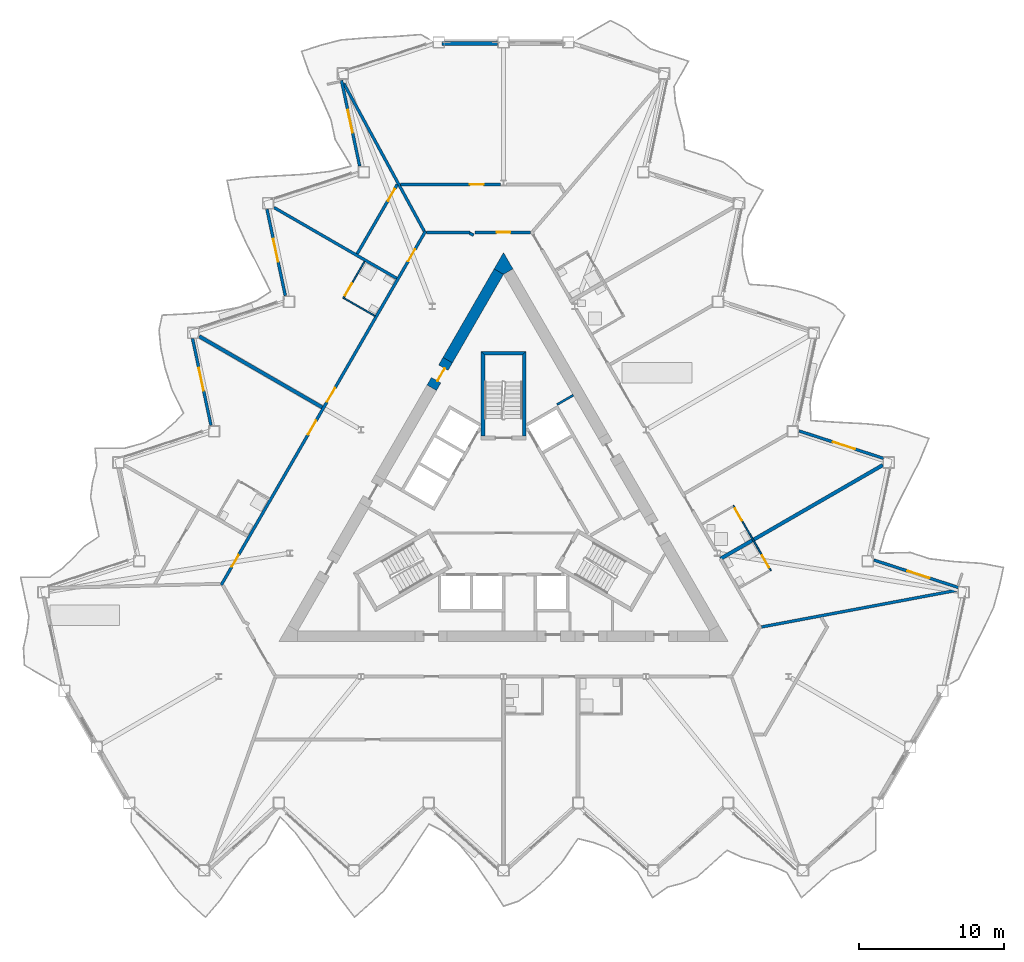
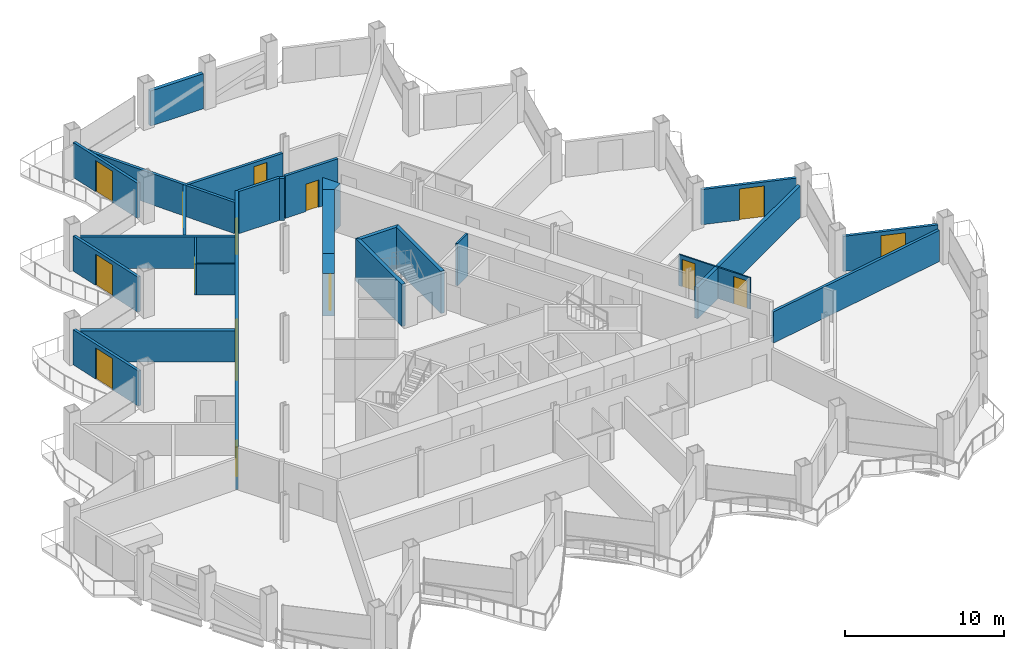
# One storey, part 13 of 22: 27 walls, 16 doors, 16 openings.
"""IFC4 building model written with IfcOpenShell, lengths in metres."""

from ifc_helpers import new_model, si_unit, direction, frame, frame_2d, origin, place, context, subcontext, project, spatial, polyline, rectangle, outline, extrude, material, layer, layer_set, type_object, element, fill, save


model = new_model("IFC4")

# Units and contexts
model_context = context("Model", 3, precision=1e-05, world=origin(), true_north=direction((0.0, 1.0)))
body_context = subcontext(model_context, "Body", "Model", "MODEL_VIEW")
ifc_project = project(units=[si_unit("LENGTHUNIT", "METRE"), si_unit("AREAUNIT", "SQUARE_METRE"), si_unit("VOLUMEUNIT", "CUBIC_METRE"), si_unit("PLANEANGLEUNIT", "RADIAN"), si_unit("MASSUNIT", "GRAM", prefix="KILO")], contexts=[model_context])

# Site, building, storey
site_placement = place(None, origin())
site = spatial("IfcSite", under=ifc_project, at=site_placement, CompositionType="ELEMENT")
building_placement = place(site_placement, origin())
building = spatial("IfcBuilding", under=site, at=building_placement, Name="Cormorant Prow Tower", CompositionType="ELEMENT")
storey_placement = place(building_placement, frame((0.0, 0.0, 194.39990234375)))
storey = spatial("IfcBuildingStorey", under=building, at=storey_placement, Name="L42", CompositionType="ELEMENT", Elevation=194.39990234375)

# Walls
ifc_material_1 = material(Name="Gypsum board partition")
ifc_layer_1 = layer(ifc_material_1, 0.14990234375)
ifc_layer_set_1 = layer_set([ifc_layer_1], Name="Gypsum board partition")
wall_type_1 = type_object("IfcWallType", Name="Core partition 150", PredefinedType="PARTITIONING", material=ifc_layer_set_1)
wall_1_placement = place(storey_placement, frame((3.693359375, 7.4150390625, 0.0), z_axis=(0.0, 0.0, 1.0), x_axis=(0.866003189247, 0.500038474733, 0.0)))
element("IfcWall", 1, at=wall_1_placement, inside=storey, type_object=wall_type_1, Name="Service room partition", PredefinedType="PARTITIONING", context=body_context, shape_type="SweptSolid", body=[
    extrude(rectangle(XDim=1.29296875, YDim=0.14990234375, at=frame_2d((0.646484375, 0.0))), origin(), (0.0, 0.0, 1.0), 3.25),
])
ifc_material_2 = material(Name="Concrete 8000 psi", Category="concrete")
ifc_layer_2 = layer(ifc_material_2, 0.75)
ifc_layer_set_2 = layer_set([ifc_layer_2], Name="Concrete 8000 psi")
wall_type_2 = type_object("IfcWallType", Name="Core shear wall 750", PredefinedType="SHEAR", material=ifc_layer_set_2)
wall_2_placement = place(storey_placement, frame((-0.32470703125, 16.58544921875, 0.0), z_axis=(0.0, 0.0, 1.0), x_axis=(-0.500012199891, -0.86601836006, 0.0)))
element("IfcWall", 2, at=wall_2_placement, inside=storey, type_object=wall_type_2, Name="Core wall", PredefinedType="SHEAR", context=body_context, shape_type="SweptSolid", body=[
    extrude(rectangle(XDim=7.050537109375, YDim=0.75, at=frame_2d((3.525390625, 0.0))), origin(), (0.0, 0.0, 1.0), 3.25),
])
wall_3_placement = place(storey_placement, origin())
element("IfcWall", 3, at=wall_3_placement, inside=storey, type_object=wall_type_2, Name="Core wall corner", PredefinedType="SHEAR", context=body_context, shape_type="SweptSolid", body=[
    extrude(outline(polyline([(-0.6494140625, 16.77294921875), (0.0, 17.89794921875), (0.6494140625, 16.77294921875), (0.0, 16.39794921875), (-0.6494140625, 16.77294921875)])), origin(), (0.0, 0.0, 1.0), 3.25),
])

# Wall, opening, door
wall_4_placement = place(storey_placement, frame((-3.85009765625, 10.4794921875, 0.0), z_axis=(0.0, 0.0, 1.0), x_axis=(-0.499946605688, -0.86605622881, 0.0)))
wall_4 = element("IfcWall", 4, at=wall_4_placement, inside=storey, type_object=wall_type_2, Name="Core wall door panel", PredefinedType="SHEAR", context=body_context, shape_type="SweptSolid", body=[
    extrude(rectangle(XDim=2.199951171875, YDim=0.75, at=frame_2d((1.10009765625, 0.0))), origin(), (0.0, 0.0, 1.0), 3.25),
])
opening_1_placement = place(wall_4_placement, frame((0.60009765625, 0.0, 0.0)))
opening_1 = element("IfcOpeningElement", 5, at=opening_1_placement, cuts=wall_4, Name="Opening L42-C19", PredefinedType="OPENING", context=body_context, shape_type="SweptSolid", body=[
    extrude(rectangle(XDim=1.0, YDim=2.10009765625, at=frame_2d((0.5, 1.050048828125))), frame((0.0, 0.385009765625, 0.0), z_axis=(0.0, -1.0, 0.0), x_axis=(1.0, 0.0, 0.0)), (0.0, 0.0, 1.0), 0.77001953125),
])
ifc_material_3 = material(Name="Painted steel", Category="steel")
door_type_1 = type_object("IfcDoorType", Name="Service door 1000x2100", OperationType="NOTDEFINED", PredefinedType="DOOR", material=ifc_material_3)
door_1_placement = place(opening_1_placement, origin())
door_1 = element("IfcDoor", 6, at=door_1_placement, inside=storey, type_object=door_type_1, Name="Core door, Electrical room", OperationType="SINGLE_SWING_RIGHT", OverallHeight=2.10009765625, OverallWidth=1.0, PredefinedType="DOOR", context=body_context, shape_type="SweptSolid", body=[
    extrude(rectangle(XDim=1.0, YDim=2.10009765625, at=frame_2d((0.5, 1.050048828125))), frame((0.0, 0.1298828125, 0.0), z_axis=(0.0, -1.0, 0.0), x_axis=(1.0, 0.0, 0.0)), (0.0, 0.0, 1.0), 0.050048828125),
])
fill(opening_1, door_1)

# Wall, openings, doors
ifc_material_4 = material(Name="Gypsum board corridor wall")
ifc_layer_3 = layer(ifc_material_4, 0.199951171875)
ifc_layer_set_3 = layer_set([ifc_layer_3], Name="Gypsum board corridor wall")
wall_type_3 = type_object("IfcWallType", Name="Corridor wall 200", PredefinedType="PARTITIONING", material=ifc_layer_set_3)
wall_5_placement = place(storey_placement, frame((-19.47607421875, -5.035400390625, 0.0), z_axis=(0.0, 0.0, 1.0), x_axis=(0.500000757641, 0.86602496636, 0.0)))
wall_5 = element("IfcWall", 7, at=wall_5_placement, inside=storey, type_object=wall_type_3, Name="Corridor wall", PredefinedType="PARTITIONING", context=body_context, shape_type="SweptSolid", body=[
    extrude(rectangle(XDim=28.19775390625, YDim=0.199951171875, at=frame_2d((14.098876953125, 0.0))), origin(), (0.0, 0.0, 1.0), 3.25),
])
opening_2_placement = place(wall_5_placement, frame((25.795654296875, 0.0, 0.0)))
opening_2 = element("IfcOpeningElement", 8, at=opening_2_placement, cuts=wall_5, Name="Opening L42-F20", PredefinedType="OPENING", context=body_context, shape_type="SweptSolid", body=[
    extrude(rectangle(XDim=0.949951171875, YDim=2.10009765625, at=frame_2d((0.47509765625, 1.050048828125))), frame((0.0, 0.10986328125, 0.0), z_axis=(0.0, -1.0, 0.0), x_axis=(1.0, 0.0, 0.0)), (0.0, 0.0, 1.0), 0.219970703125),
])
opening_3_placement = place(wall_5_placement, frame((14.602783203125, 0.0, 0.0)))
opening_3 = element("IfcOpeningElement", 9, at=opening_3_placement, cuts=wall_5, Name="Opening L42-F22", PredefinedType="OPENING", context=body_context, shape_type="SweptSolid", body=[
    extrude(rectangle(XDim=1.10009765625, YDim=2.10009765625, at=frame_2d((0.550048828125, 1.050048828125))), frame((0.0, 0.10986328125, 0.0), z_axis=(0.0, -1.0, 0.0), x_axis=(1.0, 0.0, 0.0)), (0.0, 0.0, 1.0), 0.219970703125),
])
opening_4_placement = place(wall_5_placement, frame((11.9931640625, 0.0, 0.0)))
opening_4 = element("IfcOpeningElement", 10, at=opening_4_placement, cuts=wall_5, Name="Opening L42-F24", PredefinedType="OPENING", context=body_context, shape_type="SweptSolid", body=[
    extrude(rectangle(XDim=1.10009765625, YDim=2.10009765625, at=frame_2d((0.550048828125, 1.050048828125))), frame((0.0, 0.10986328125, 0.0), z_axis=(0.0, -1.0, 0.0), x_axis=(1.0, 0.0, 0.0)), (0.0, 0.0, 1.0), 0.219970703125),
])
opening_5_placement = place(wall_5_placement, frame((1.4521484375, 0.0, 0.0)))
opening_5 = element("IfcOpeningElement", 11, at=opening_5_placement, cuts=wall_5, Name="Opening L42-F26", PredefinedType="OPENING", context=body_context, shape_type="SweptSolid", body=[
    extrude(rectangle(XDim=0.949951171875, YDim=2.10009765625, at=frame_2d((0.47509765625, 1.050048828125))), frame((0.0, 0.10986328125, 0.0), z_axis=(0.0, -1.0, 0.0), x_axis=(1.0, 0.0, 0.0)), (0.0, 0.0, 1.0), 0.219970703125),
])
ifc_material_5 = material(Name="Timber door leaf", Category="wood")
door_type_2 = type_object("IfcDoorType", Name="Store door 950x2100", OperationType="NOTDEFINED", PredefinedType="DOOR", material=ifc_material_5)
door_2_placement = place(opening_2_placement, origin())
door_2 = element("IfcDoor", 12, at=door_2_placement, inside=storey, type_object=door_type_2, Name="Ice and vending room door", OperationType="SINGLE_SWING_RIGHT", OverallHeight=2.10009765625, OverallWidth=0.949951171875, PredefinedType="DOOR", context=body_context, shape_type="SweptSolid", body=[
    extrude(rectangle(XDim=0.949951171875, YDim=2.10009765625, at=frame_2d((0.47509765625, 1.050048828125))), frame((0.0, 0.02490234375, 0.0), z_axis=(0.0, -1.0, 0.0), x_axis=(1.0, 0.0, 0.0)), (0.0, 0.0, 1.0), 0.050048828125),
])
fill(opening_2, door_2)
door_3_placement = place(opening_5_placement, origin())
door_3 = element("IfcDoor", 13, at=door_3_placement, inside=storey, type_object=door_type_2, Name="Ice and vending room door", OperationType="SINGLE_SWING_LEFT", OverallHeight=2.10009765625, OverallWidth=0.949951171875, PredefinedType="DOOR", context=body_context, shape_type="SweptSolid", body=[
    extrude(rectangle(XDim=0.949951171875, YDim=2.10009765625, at=frame_2d((0.47509765625, 1.050048828125))), frame((0.0, 0.02490234375, 0.0), z_axis=(0.0, -1.0, 0.0), x_axis=(1.0, 0.0, 0.0)), (0.0, 0.0, 1.0), 0.050048828125),
])
fill(opening_5, door_3)
ifc_material_6 = material(Name="Timber door leaf", Category="wood")
door_type_3 = type_object("IfcDoorType", Name="Suite entrance door 1100x2100", OperationType="NOTDEFINED", PredefinedType="DOOR", material=ifc_material_6)
door_4_placement = place(opening_3_placement, origin())
door_4 = element("IfcDoor", 14, at=door_4_placement, inside=storey, type_object=door_type_3, Name="Junior suite door", OperationType="SINGLE_SWING_LEFT", OverallHeight=2.10009765625, OverallWidth=1.10009765625, PredefinedType="DOOR", context=body_context, shape_type="SweptSolid", body=[
    extrude(rectangle(XDim=1.10009765625, YDim=2.10009765625, at=frame_2d((0.550048828125, 1.050048828125))), frame((0.0, 0.02490234375, 0.0), z_axis=(0.0, -1.0, 0.0), x_axis=(1.0, 0.0, 0.0)), (0.0, 0.0, 1.0), 0.050048828125),
])
fill(opening_3, door_4)
door_5_placement = place(opening_4_placement, origin())
door_5 = element("IfcDoor", 15, at=door_5_placement, inside=storey, type_object=door_type_3, Name="Junior suite door", OperationType="SINGLE_SWING_RIGHT", OverallHeight=2.10009765625, OverallWidth=1.10009765625, PredefinedType="DOOR", context=body_context, shape_type="SweptSolid", body=[
    extrude(rectangle(XDim=1.10009765625, YDim=2.10009765625, at=frame_2d((0.550048828125, 1.050048828125))), frame((0.0, 0.02490234375, 0.0), z_axis=(0.0, -1.0, 0.0), x_axis=(1.0, 0.0, 0.0)), (0.0, 0.0, 1.0), 0.050048828125),
])
fill(opening_4, door_5)

# Wall, opening, door
wall_6_placement = place(storey_placement, frame((-1.962890625, 19.2978515625, 0.0), z_axis=(0.0, 0.0, 1.0), x_axis=(1.0, 0.0, 0.0)))
wall_6 = element("IfcWall", 16, at=wall_6_placement, inside=storey, type_object=wall_type_3, Name="Corridor wall", PredefinedType="PARTITIONING", context=body_context, shape_type="SweptSolid", body=[
    extrude(rectangle(XDim=3.825927734375, YDim=0.199951171875, at=frame_2d((1.9130859375, 0.0))), origin(), (0.0, 0.0, 1.0), 3.25),
])
opening_6_placement = place(wall_6_placement, frame((1.48974609375, 0.0, 0.0)))
opening_6 = element("IfcOpeningElement", 17, at=opening_6_placement, cuts=wall_6, Name="Opening L42-F18", PredefinedType="OPENING", context=body_context, shape_type="SweptSolid", body=[
    extrude(rectangle(XDim=0.949951171875, YDim=2.10009765625, at=frame_2d((0.47509765625, 1.050048828125))), frame((0.0, 0.10986328125, 0.0), z_axis=(0.0, -1.0, 0.0), x_axis=(1.0, 0.0, 0.0)), (0.0, 0.0, 1.0), 0.219970703125),
])
door_6_placement = place(opening_6_placement, origin())
door_6 = element("IfcDoor", 18, at=door_6_placement, inside=storey, type_object=door_type_2, Name="Housekeeping room door", OperationType="SINGLE_SWING_LEFT", OverallHeight=2.10009765625, OverallWidth=0.949951171875, PredefinedType="DOOR", context=body_context, shape_type="SweptSolid", body=[
    extrude(rectangle(XDim=0.949951171875, YDim=2.10009765625, at=frame_2d((0.47509765625, 1.050048828125))), frame((0.0, 0.02490234375, 0.0), z_axis=(0.0, -1.0, 0.0), x_axis=(1.0, 0.0, 0.0)), (0.0, 0.0, 1.0), 0.050048828125),
])
fill(opening_6, door_6)

# Walls
wall_7_placement = place(storey_placement, frame((-5.3271484375, 19.2978515625, 0.0), z_axis=(0.0, 0.0, 1.0), x_axis=(1.0, 0.0, 0.0)))
element("IfcWall", 19, at=wall_7_placement, inside=storey, type_object=wall_type_3, Name="Corridor wall", PredefinedType="PARTITIONING", context=body_context, shape_type="SweptSolid", body=[
    extrude(rectangle(XDim=3.002197265625, YDim=0.199951171875, at=frame_2d((1.5009765625, 0.0))), origin(), (0.0, 0.0, 1.0), 3.25),
])
wall_8_placement = place(storey_placement, frame((-2.33837890625, 19.247802734375, 0.0), z_axis=(0.0, 0.0, 1.0), x_axis=(0.866395311824, -0.499358752451, 0.0)))
element("IfcWall", 20, at=wall_8_placement, inside=storey, type_object=wall_type_3, Name="Corridor wall", PredefinedType="PARTITIONING", context=body_context, shape_type="SweptSolid", body=[
    extrude(rectangle(XDim=0.31005859375, YDim=0.199951171875, at=frame_2d((0.155029296875, 0.0))), origin(), (0.0, 0.0, 1.0), 3.25),
])
ifc_material_7 = material(Name="Gypsum board demising wall")
ifc_layer_4 = layer(ifc_material_7, 0.199951171875)
ifc_layer_set_4 = layer_set([ifc_layer_4], Name="Gypsum board demising wall")
wall_type_4 = type_object("IfcWallType", Name="Demising wall 200", PredefinedType="PARTITIONING", material=ifc_layer_set_4)
wall_9_placement = place(storey_placement, frame((17.792236328125, -7.930419921875, 0.0), z_axis=(0.0, 0.0, 1.0), x_axis=(0.982805703999, 0.184642758284, 0.0)))
element("IfcWall", 21, at=wall_9_placement, inside=storey, type_object=wall_type_4, Name="Demising wall", PredefinedType="PARTITIONING", context=body_context, shape_type="SweptSolid", body=[
    extrude(rectangle(XDim=13.773681640625, YDim=0.199951171875, at=frame_2d((6.88671875, 0.0))), origin(), (0.0, 0.0, 1.0), 2.404296875),
])
wall_10_placement = place(storey_placement, frame((-11.020751953125, 29.569580078125, 0.0), z_axis=(0.0, 0.0, 1.0), x_axis=(0.478233946204, -0.878232482147, 0.0)))
element("IfcWall", 22, at=wall_10_placement, inside=storey, type_object=wall_type_4, Name="Demising wall", PredefinedType="PARTITIONING", context=body_context, shape_type="SweptSolid", body=[
    extrude(rectangle(XDim=11.59619140625, YDim=0.199951171875, at=frame_2d((5.798095703125, 0.0))), origin(), (0.0, 0.0, 1.0), 2.404296875),
])
wall_11_placement = place(storey_placement, frame((-15.834716796875, 21.009033203125, 0.0), z_axis=(0.0, 0.0, 1.0), x_axis=(0.866024525919, -0.500001520505, 0.0)))
element("IfcWall", 23, at=wall_11_placement, inside=storey, type_object=wall_type_4, Name="Demising wall", PredefinedType="PARTITIONING", context=body_context, shape_type="SweptSolid", body=[
    extrude(rectangle(XDim=9.76904296875, YDim=0.199951171875, at=frame_2d((4.884521484375, 0.0))), origin(), (0.0, 0.0, 1.0), 2.404296875),
])

# Wall, opening, door
wall_12_placement = place(storey_placement, frame((-7.124267578125, 22.597900390625, 0.0), z_axis=(0.0, 0.0, 1.0), x_axis=(1.0, 0.0, 0.0)))
wall_12 = element("IfcWall", 24, at=wall_12_placement, inside=storey, type_object=wall_type_4, Name="Demising wall", PredefinedType="PARTITIONING", context=body_context, shape_type="SweptSolid", body=[
    extrude(rectangle(XDim=6.91064453125, YDim=0.199951171875, at=frame_2d((3.455322265625, 0.0))), origin(), (0.0, 0.0, 1.0), 2.404296875),
])
opening_7_placement = place(wall_12_placement, frame((4.800537109375, 0.0, 0.0)))
opening_7 = element("IfcOpeningElement", 25, at=opening_7_placement, cuts=wall_12, Name="Opening L42-F19", PredefinedType="OPENING", context=body_context, shape_type="SweptSolid", body=[
    extrude(rectangle(XDim=0.949951171875, YDim=2.10009765625, at=frame_2d((0.47509765625, 1.050048828125))), frame((0.0, 0.10986328125, 0.0), z_axis=(0.0, -1.0, 0.0), x_axis=(1.0, 0.0, 0.0)), (0.0, 0.0, 1.0), 0.219970703125),
])
door_7_placement = place(opening_7_placement, origin())
door_7 = element("IfcDoor", 26, at=door_7_placement, inside=storey, type_object=door_type_2, Name="Ice and vending room door", OperationType="SINGLE_SWING_LEFT", OverallHeight=2.10009765625, OverallWidth=0.949951171875, PredefinedType="DOOR", context=body_context, shape_type="SweptSolid", body=[
    extrude(rectangle(XDim=0.949951171875, YDim=2.10009765625, at=frame_2d((0.47509765625, 1.050048828125))), frame((0.0, 0.02490234375, 0.0), z_axis=(0.0, -1.0, 0.0), x_axis=(1.0, 0.0, 0.0)), (0.0, 0.0, 1.0), 0.050048828125),
])
fill(opening_7, door_7)

wall_13_placement = place(storey_placement, frame((-10.095947265625, 17.811279296875, 0.0), z_axis=(0.0, 0.0, 1.0), x_axis=(0.500015590807, 0.866016402241, 0.0)))
wall_13 = element("IfcWall", 27, at=wall_13_placement, inside=storey, type_object=wall_type_4, Name="Demising wall", PredefinedType="PARTITIONING", context=body_context, shape_type="SweptSolid", body=[
    extrude(rectangle(XDim=5.527099609375, YDim=0.199951171875, at=frame_2d((2.763671875, 0.0))), origin(), (0.0, 0.0, 1.0), 2.404296875),
])
opening_8_placement = place(wall_13_placement, frame((4.22509765625, 0.0, 0.0)))
opening_8 = element("IfcOpeningElement", 28, at=opening_8_placement, cuts=wall_13, Name="Opening L42-F21", PredefinedType="OPENING", context=body_context, shape_type="SweptSolid", body=[
    extrude(rectangle(XDim=0.949951171875, YDim=2.10009765625, at=frame_2d((0.47509765625, 1.050048828125))), frame((0.0, 0.10986328125, 0.0), z_axis=(0.0, -1.0, 0.0), x_axis=(1.0, 0.0, 0.0)), (0.0, 0.0, 1.0), 0.219970703125),
])
door_8_placement = place(opening_8_placement, origin())
door_8 = element("IfcDoor", 29, at=door_8_placement, inside=storey, type_object=door_type_2, Name="Service store door", OperationType="SINGLE_SWING_RIGHT", OverallHeight=2.10009765625, OverallWidth=0.949951171875, PredefinedType="DOOR", context=body_context, shape_type="SweptSolid", body=[
    extrude(rectangle(XDim=0.949951171875, YDim=2.10009765625, at=frame_2d((0.47509765625, 1.050048828125))), frame((0.0, 0.02490234375, 0.0), z_axis=(0.0, -1.0, 0.0), x_axis=(1.0, 0.0, 0.0)), (0.0, 0.0, 1.0), 0.050048828125),
])
fill(opening_8, door_8)

# Wall, openings, doors
ifc_material_8 = material(Name="Gypsum board partition")
ifc_layer_5 = layer(ifc_material_8, 0.10009765625)
ifc_layer_set_5 = layer_set([ifc_layer_5], Name="Gypsum board partition")
wall_type_5 = type_object("IfcWallType", Name="Internal partition 100", PredefinedType="PARTITIONING", material=ifc_layer_set_5)
wall_14_placement = place(storey_placement, frame((15.843505859375, 0.455810546875, 0.0), z_axis=(0.0, 0.0, 1.0), x_axis=(0.500006934395, -0.866021400173, 0.0)))
wall_14 = element("IfcWall", 30, at=wall_14_placement, inside=storey, type_object=wall_type_5, Name="Internal partition", PredefinedType="PARTITIONING", context=body_context, shape_type="SweptSolid", body=[
    extrude(rectangle(XDim=5.2001953125, YDim=0.10009765625, at=frame_2d((2.60009765625, 0.0))), origin(), (0.0, 0.0, 1.0), 2.404296875),
])
opening_9_placement = place(wall_14_placement, frame((4.0, 0.0, 0.0)))
opening_9 = element("IfcOpeningElement", 31, at=opening_9_placement, cuts=wall_14, Name="Opening L42-F10", PredefinedType="OPENING", context=body_context, shape_type="SweptSolid", body=[
    extrude(rectangle(XDim=0.949951171875, YDim=2.10009765625, at=frame_2d((0.47509765625, 1.050048828125))), frame((0.0, 0.06005859375, 0.0), z_axis=(0.0, -1.0, 0.0), x_axis=(1.0, 0.0, 0.0)), (0.0, 0.0, 1.0), 0.1201171875),
])
opening_10_placement = place(wall_14_placement, frame((0.25, 0.0, 0.0)))
opening_10 = element("IfcOpeningElement", 32, at=opening_10_placement, cuts=wall_14, Name="Opening L42-F12", PredefinedType="OPENING", context=body_context, shape_type="SweptSolid", body=[
    extrude(rectangle(XDim=0.949951171875, YDim=2.10009765625, at=frame_2d((0.47509765625, 1.050048828125))), frame((0.0, 0.06005859375, 0.0), z_axis=(0.0, -1.0, 0.0), x_axis=(1.0, 0.0, 0.0)), (0.0, 0.0, 1.0), 0.1201171875),
])
ifc_material_9 = material(Name="Timber door leaf", Category="wood")
door_type_4 = type_object("IfcDoorType", Name="Bathroom door 950x2100", OperationType="NOTDEFINED", PredefinedType="DOOR", material=ifc_material_9)
door_9_placement = place(opening_9_placement, origin())
door_9 = element("IfcDoor", 33, at=door_9_placement, inside=storey, type_object=door_type_4, Name="Junior suite door", OperationType="SINGLE_SWING_RIGHT", OverallHeight=2.10009765625, OverallWidth=0.949951171875, PredefinedType="DOOR", context=body_context, shape_type="SweptSolid", body=[
    extrude(rectangle(XDim=0.949951171875, YDim=2.10009765625, at=frame_2d((0.47509765625, 1.050048828125))), frame((0.0, 0.02490234375, 0.0), z_axis=(0.0, -1.0, 0.0), x_axis=(1.0, 0.0, 0.0)), (0.0, 0.0, 1.0), 0.050048828125),
])
fill(opening_9, door_9)
door_10_placement = place(opening_10_placement, origin())
door_10 = element("IfcDoor", 34, at=door_10_placement, inside=storey, type_object=door_type_4, Name="Guest room door", OperationType="SINGLE_SWING_LEFT", OverallHeight=2.10009765625, OverallWidth=0.949951171875, PredefinedType="DOOR", context=body_context, shape_type="SweptSolid", body=[
    extrude(rectangle(XDim=0.949951171875, YDim=2.10009765625, at=frame_2d((0.47509765625, 1.050048828125))), frame((0.0, 0.02490234375, 0.0), z_axis=(0.0, -1.0, 0.0), x_axis=(1.0, 0.0, 0.0)), (0.0, 0.0, 1.0), 0.050048828125),
])
fill(opening_10, door_10)

# Wall, opening, door
wall_15_placement = place(storey_placement, frame((-11.064697265625, 14.7333984375, 0.0), z_axis=(0.0, 0.0, 1.0), x_axis=(0.500037662692, 0.866003658127, 0.0)))
wall_15 = element("IfcWall", 35, at=wall_15_placement, inside=storey, type_object=wall_type_5, Name="Internal partition", PredefinedType="PARTITIONING", context=body_context, shape_type="SweptSolid", body=[
    extrude(rectangle(XDim=2.949951171875, YDim=0.10009765625, at=frame_2d((1.47509765625, 0.0))), origin(), (0.0, 0.0, 1.0), 2.404296875),
])
opening_11_placement = place(wall_15_placement, frame((0.25, 0.0, 0.0)))
opening_11 = element("IfcOpeningElement", 36, at=opening_11_placement, cuts=wall_15, Name="Opening L42-F23", PredefinedType="OPENING", context=body_context, shape_type="SweptSolid", body=[
    extrude(rectangle(XDim=0.949951171875, YDim=2.10009765625, at=frame_2d((0.47509765625, 1.050048828125))), frame((0.0, 0.06005859375, 0.0), z_axis=(0.0, -1.0, 0.0), x_axis=(1.0, 0.0, 0.0)), (0.0, 0.0, 1.0), 0.1201171875),
])
door_11_placement = place(opening_11_placement, origin())
door_11 = element("IfcDoor", 37, at=door_11_placement, inside=storey, type_object=door_type_4, Name="Junior suite door", OperationType="SINGLE_SWING_LEFT", OverallHeight=2.10009765625, OverallWidth=0.949951171875, PredefinedType="DOOR", context=body_context, shape_type="SweptSolid", body=[
    extrude(rectangle(XDim=0.949951171875, YDim=2.10009765625, at=frame_2d((0.47509765625, 1.050048828125))), frame((0.0, 0.02490234375, 0.0), z_axis=(0.0, -1.0, 0.0), x_axis=(1.0, 0.0, 0.0)), (0.0, 0.0, 1.0), 0.050048828125),
])
fill(opening_11, door_11)

# Walls
wall_16_placement = place(storey_placement, frame((-10.996337890625, 14.751708984375, 0.0), z_axis=(0.0, 0.0, 1.0), x_axis=(0.866014668023, -0.500018594424, 0.0)))
element("IfcWall", 38, at=wall_16_placement, inside=storey, type_object=wall_type_5, Name="Internal partition", PredefinedType="PARTITIONING", context=body_context, shape_type="SweptSolid", body=[
    extrude(rectangle(XDim=2.4501953125, YDim=0.10009765625, at=frame_2d((1.22509765625, 0.0))), origin(), (0.0, 0.0, 1.0), 2.404296875),
])
ifc_material_10 = material(Name="Concrete 8000 psi", Category="concrete")
ifc_layer_6 = layer(ifc_material_10, 0.25)
ifc_layer_set_6 = layer_set([ifc_layer_6], Name="Concrete 8000 psi")
wall_type_6 = type_object("IfcWallType", Name="Stair wall 250", PredefinedType="SHEAR", material=ifc_layer_set_6)
wall_17_placement = place(storey_placement, origin())
element("IfcWall", 39, at=wall_17_placement, inside=storey, type_object=wall_type_6, Name="Stair ST3 enclosure wall (flank)", PredefinedType="SHEAR", context=body_context, shape_type="SweptSolid", body=[
    extrude(outline(polyline([(1.5439453125, 5.23681640625), (1.5439453125, 11.0869140625), (1.2939453125, 10.8369140625), (1.2939453125, 5.23681640625), (1.5439453125, 5.23681640625)])), origin(), (0.0, 0.0, 1.0), 3.25),
])
wall_18_placement = place(storey_placement, origin())
element("IfcWall", 40, at=wall_18_placement, inside=storey, type_object=wall_type_6, Name="Stair ST3 enclosure wall (end)", PredefinedType="SHEAR", context=body_context, shape_type="SweptSolid", body=[
    extrude(outline(polyline([(1.5439453125, 11.0869140625), (-1.5439453125, 11.0869140625), (-1.2939453125, 10.8369140625), (1.2939453125, 10.8369140625), (1.5439453125, 11.0869140625)])), origin(), (0.0, 0.0, 1.0), 3.25),
])
wall_19_placement = place(storey_placement, origin())
element("IfcWall", 41, at=wall_19_placement, inside=storey, type_object=wall_type_6, Name="Stair ST3 enclosure wall (flank)", PredefinedType="SHEAR", context=body_context, shape_type="SweptSolid", body=[
    extrude(outline(polyline([(-1.2939453125, 10.8369140625), (-1.5439453125, 11.0869140625), (-1.5439453125, 5.23681640625), (-1.2939453125, 5.23681640625), (-1.2939453125, 10.8369140625)])), origin(), (0.0, 0.0, 1.0), 3.25),
])
ifc_material_11 = material(Name="Acoustic gypsum party wall")
ifc_layer_7 = layer(ifc_material_11, 0.25)
ifc_layer_set_7 = layer_set([ifc_layer_7], Name="Acoustic gypsum party wall")
wall_type_7 = type_object("IfcWallType", Name="Suite party wall 250", PredefinedType="PARTITIONING", material=ifc_layer_set_7)
wall_20_placement = place(storey_placement, frame((14.967041015625, -3.2255859375, 0.0), z_axis=(0.0, 0.0, 1.0), x_axis=(0.866030250269, 0.499991605548, 0.0)))
element("IfcWall", 42, at=wall_20_placement, inside=storey, type_object=wall_type_7, Name="Suite party wall", PredefinedType="PARTITIONING", context=body_context, shape_type="SweptSolid", body=[
    extrude(rectangle(XDim=12.929443359375, YDim=0.25, at=frame_2d((6.46484375, 0.0))), origin(), (0.0, 0.0, 1.0), 2.404296875),
])
wall_21_placement = place(storey_placement, frame((-20.99951171875, 12.1240234375, 0.0), z_axis=(0.0, 0.0, 1.0), x_axis=(0.866032905446, -0.499987006516, 0.0)))
element("IfcWall", 43, at=wall_21_placement, inside=storey, type_object=wall_type_7, Name="Suite party wall", PredefinedType="PARTITIONING", context=body_context, shape_type="SweptSolid", body=[
    extrude(rectangle(XDim=9.799072265625, YDim=0.25, at=frame_2d((4.8994140625, 0.0))), origin(), (0.0, 0.0, 1.0), 2.404296875),
])
ifc_material_12 = material(Name="Terracotta", Category="masonry")
ifc_layer_8 = layer(ifc_material_12, 0.25)
ifc_layer_set_8 = layer_set([ifc_layer_8], Name="Terracotta")
wall_type_8 = type_object("IfcWallType", Name="Terracotta bay wall 250", PredefinedType="SOLIDWALL", material=ifc_layer_set_8)
wall_22_placement = place(storey_placement, frame((-0.39990234375, 32.324951171875, 0.0), z_axis=(0.0, 0.0, 1.0), x_axis=(-1.0, 0.0, 0.0)))
element("IfcWall", 44, at=wall_22_placement, inside=storey, type_object=wall_type_8, Name="Terracotta bay wall N01", PredefinedType="SOLIDWALL", context=body_context, shape_type="SweptSolid", body=[
    extrude(rectangle(XDim=3.851806640625, YDim=0.25, at=frame_2d((1.92578125, 0.0))), origin(), (0.0, 0.0, 1.0), 2.700927734375),
])

# Wall, opening, door
ifc_material_13 = material(Name="Terracotta", Category="masonry")
ifc_layer_9 = layer(ifc_material_13, 0.199951171875)
ifc_layer_set_9 = layer_set([ifc_layer_9], Name="Terracotta")
wall_type_9 = type_object("IfcWallType", Name="Terracotta jamb wall 200", PredefinedType="SOLIDWALL", material=ifc_layer_set_9)
wall_23_placement = place(storey_placement, frame((31.37890625, -5.20703125, 0.0), z_axis=(0.0, 0.0, 1.0), x_axis=(-0.951059550827, 0.30900765489, 0.0)))
wall_23 = element("IfcWall", 45, at=wall_23_placement, inside=storey, type_object=wall_type_9, Name="Terracotta jamb wall ENE01", PredefinedType="SOLIDWALL", context=body_context, shape_type="SweptSolid", body=[
    extrude(rectangle(XDim=6.124755859375, YDim=0.199951171875, at=frame_2d((3.0625, 0.0))), origin(), (0.0, 0.0, 1.0), 2.700927734375),
])
opening_12_placement = place(wall_23_placement, frame((2.08935546875, 0.0, 0.0)))
opening_12 = element("IfcOpeningElement", 46, at=opening_12_placement, cuts=wall_23, Name="Opening ED42.06", PredefinedType="OPENING", context=body_context, shape_type="SweptSolid", body=[
    extrude(rectangle(XDim=1.60009765625, YDim=2.39990234375, at=frame_2d((0.800048828125, 1.199951171875))), frame((0.0, 0.10986328125, 0.0), z_axis=(0.0, -1.0, 0.0), x_axis=(1.0, 0.0, 0.0)), (0.0, 0.0, 1.0), 0.219970703125),
])
ifc_material_14 = material(Name="Aluminium 6063-T6", Category="aluminium")
door_type_5 = type_object("IfcDoorType", Name="Balcony door 1600x2400", OperationType="DOUBLE_DOOR_SINGLE_SWING", PredefinedType="DOOR", material=ifc_material_14)
door_12_placement = place(opening_12_placement, origin())
door_12 = element("IfcDoor", 47, at=door_12_placement, inside=storey, type_object=door_type_5, Name="Balcony door ENE01 ED42.06", OperationType="DOUBLE_DOOR_SINGLE_SWING", OverallHeight=2.39990234375, OverallWidth=1.60009765625, PredefinedType="DOOR", context=body_context, shape_type="SweptSolid", body=[
    extrude(rectangle(XDim=1.60009765625, YDim=2.39990234375, at=frame_2d((0.800048828125, 1.199951171875))), frame((0.0, 0.02490234375, 0.0), z_axis=(0.0, -1.0, 0.0), x_axis=(1.0, 0.0, 0.0)), (0.0, 0.0, 1.0), 0.050048828125),
])
fill(opening_12, door_12)

wall_24_placement = place(storey_placement, frame((26.240234375, 3.693115234375, 0.0), z_axis=(0.0, 0.0, 1.0), x_axis=(-0.951053023356, 0.30902774433, 0.0)))
wall_24 = element("IfcWall", 48, at=wall_24_placement, inside=storey, type_object=wall_type_9, Name="Terracotta jamb wall ENE03", PredefinedType="SOLIDWALL", context=body_context, shape_type="SweptSolid", body=[
    extrude(rectangle(XDim=6.15185546875, YDim=0.199951171875, at=frame_2d((3.075927734375, 0.0))), origin(), (0.0, 0.0, 1.0), 2.700927734375),
])
opening_13_placement = place(wall_24_placement, frame((2.08935546875, 0.0, 0.0)))
opening_13 = element("IfcOpeningElement", 49, at=opening_13_placement, cuts=wall_24, Name="Opening ED42.07", PredefinedType="OPENING", context=body_context, shape_type="SweptSolid", body=[
    extrude(rectangle(XDim=1.60009765625, YDim=2.39990234375, at=frame_2d((0.800048828125, 1.199951171875))), frame((0.0, 0.10986328125, 0.0), z_axis=(0.0, -1.0, 0.0), x_axis=(1.0, 0.0, 0.0)), (0.0, 0.0, 1.0), 0.219970703125),
])
door_13_placement = place(opening_13_placement, origin())
door_13 = element("IfcDoor", 50, at=door_13_placement, inside=storey, type_object=door_type_5, Name="Balcony door ENE03 ED42.07", OperationType="DOUBLE_DOOR_SINGLE_SWING", OverallHeight=2.39990234375, OverallWidth=1.60009765625, PredefinedType="DOOR", context=body_context, shape_type="SweptSolid", body=[
    extrude(rectangle(XDim=1.60009765625, YDim=2.39990234375, at=frame_2d((0.800048828125, 1.199951171875))), frame((0.0, 0.02490234375, 0.0), z_axis=(0.0, -1.0, 0.0), x_axis=(1.0, 0.0, 0.0)), (0.0, 0.0, 1.0), 0.050048828125),
])
fill(opening_13, door_13)

wall_25_placement = place(storey_placement, frame((-11.179931640625, 29.7783203125, 0.0), z_axis=(0.0, 0.0, 1.0), x_axis=(0.207894531291, -0.978151247946, 0.0)))
wall_25 = element("IfcWall", 51, at=wall_25_placement, inside=storey, type_object=wall_type_9, Name="Terracotta jamb wall WNW01", PredefinedType="SOLIDWALL", context=body_context, shape_type="SweptSolid", body=[
    extrude(rectangle(XDim=6.039794921875, YDim=0.199951171875, at=frame_2d((3.02001953125, 0.0))), origin(), (0.0, 0.0, 1.0), 2.700927734375),
])
opening_14_placement = place(wall_25_placement, frame((2.08935546875, 0.0, 0.0)))
opening_14 = element("IfcOpeningElement", 52, at=opening_14_placement, cuts=wall_25, Name="Opening ED42.11", PredefinedType="OPENING", context=body_context, shape_type="SweptSolid", body=[
    extrude(rectangle(XDim=1.60009765625, YDim=2.39990234375, at=frame_2d((0.800048828125, 1.199951171875))), frame((0.0, 0.10986328125, 0.0), z_axis=(0.0, -1.0, 0.0), x_axis=(1.0, 0.0, 0.0)), (0.0, 0.0, 1.0), 0.219970703125),
])
door_14_placement = place(opening_14_placement, origin())
door_14 = element("IfcDoor", 53, at=door_14_placement, inside=storey, type_object=door_type_5, Name="Balcony door WNW01 ED42.11", OperationType="DOUBLE_DOOR_SINGLE_SWING", OverallHeight=2.39990234375, OverallWidth=1.60009765625, PredefinedType="DOOR", context=body_context, shape_type="SweptSolid", body=[
    extrude(rectangle(XDim=1.60009765625, YDim=2.39990234375, at=frame_2d((0.800048828125, 1.199951171875))), frame((0.0, 0.02490234375, 0.0), z_axis=(0.0, -1.0, 0.0), x_axis=(1.0, 0.0, 0.0)), (0.0, 0.0, 1.0), 0.050048828125),
])
fill(opening_14, door_14)

wall_26_placement = place(storey_placement, frame((-16.32080078125, 20.8896484375, 0.0), z_axis=(0.0, 0.0, 1.0), x_axis=(0.207912864597, -0.978147351238, 0.0)))
wall_26 = element("IfcWall", 54, at=wall_26_placement, inside=storey, type_object=wall_type_9, Name="Terracotta jamb wall WNW03", PredefinedType="SOLIDWALL", context=body_context, shape_type="SweptSolid", body=[
    extrude(rectangle(XDim=6.097900390625, YDim=0.199951171875, at=frame_2d((3.048828125, 0.0))), origin(), (0.0, 0.0, 1.0), 2.700927734375),
])
opening_15_placement = place(wall_26_placement, frame((2.10107421875, 0.0, 0.0)))
opening_15 = element("IfcOpeningElement", 55, at=opening_15_placement, cuts=wall_26, Name="Opening ED42.12", PredefinedType="OPENING", context=body_context, shape_type="SweptSolid", body=[
    extrude(rectangle(XDim=1.60009765625, YDim=2.39990234375, at=frame_2d((0.800048828125, 1.199951171875))), frame((0.0, 0.10986328125, 0.0), z_axis=(0.0, -1.0, 0.0), x_axis=(1.0, 0.0, 0.0)), (0.0, 0.0, 1.0), 0.219970703125),
])
door_15_placement = place(opening_15_placement, origin())
door_15 = element("IfcDoor", 56, at=door_15_placement, inside=storey, type_object=door_type_5, Name="Balcony door WNW03 ED42.12", OperationType="DOUBLE_DOOR_SINGLE_SWING", OverallHeight=2.39990234375, OverallWidth=1.60009765625, PredefinedType="DOOR", context=body_context, shape_type="SweptSolid", body=[
    extrude(rectangle(XDim=1.60009765625, YDim=2.39990234375, at=frame_2d((0.800048828125, 1.199951171875))), frame((0.0, 0.02490234375, 0.0), z_axis=(0.0, -1.0, 0.0), x_axis=(1.0, 0.0, 0.0)), (0.0, 0.0, 1.0), 0.050048828125),
])
fill(opening_15, door_15)

wall_27_placement = place(storey_placement, frame((-21.45703125, 11.97802734375, 0.0), z_axis=(0.0, 0.0, 1.0), x_axis=(0.207930174887, -0.978143671641, 0.0)))
wall_27 = element("IfcWall", 57, at=wall_27_placement, inside=storey, type_object=wall_type_9, Name="Terracotta jamb wall WNW05", PredefinedType="SOLIDWALL", context=body_context, shape_type="SweptSolid", body=[
    extrude(rectangle(XDim=6.132568359375, YDim=0.199951171875, at=frame_2d((3.06640625, 0.0))), origin(), (0.0, 0.0, 1.0), 2.700927734375),
])
opening_16_placement = place(wall_27_placement, frame((2.08935546875, 0.0, 0.0)))
opening_16 = element("IfcOpeningElement", 58, at=opening_16_placement, cuts=wall_27, Name="Opening ED42.13", PredefinedType="OPENING", context=body_context, shape_type="SweptSolid", body=[
    extrude(rectangle(XDim=1.60009765625, YDim=2.39990234375, at=frame_2d((0.800048828125, 1.199951171875))), frame((0.0, 0.10986328125, 0.0), z_axis=(0.0, -1.0, 0.0), x_axis=(1.0, 0.0, 0.0)), (0.0, 0.0, 1.0), 0.219970703125),
])
door_16_placement = place(opening_16_placement, origin())
door_16 = element("IfcDoor", 59, at=door_16_placement, inside=storey, type_object=door_type_5, Name="Balcony door WNW05 ED42.13", OperationType="DOUBLE_DOOR_SINGLE_SWING", OverallHeight=2.39990234375, OverallWidth=1.60009765625, PredefinedType="DOOR", context=body_context, shape_type="SweptSolid", body=[
    extrude(rectangle(XDim=1.60009765625, YDim=2.39990234375, at=frame_2d((0.800048828125, 1.199951171875))), frame((0.0, 0.02490234375, 0.0), z_axis=(0.0, -1.0, 0.0), x_axis=(1.0, 0.0, 0.0)), (0.0, 0.0, 1.0), 0.050048828125),
])
fill(opening_16, door_16)

save(model, "model.ifc")
